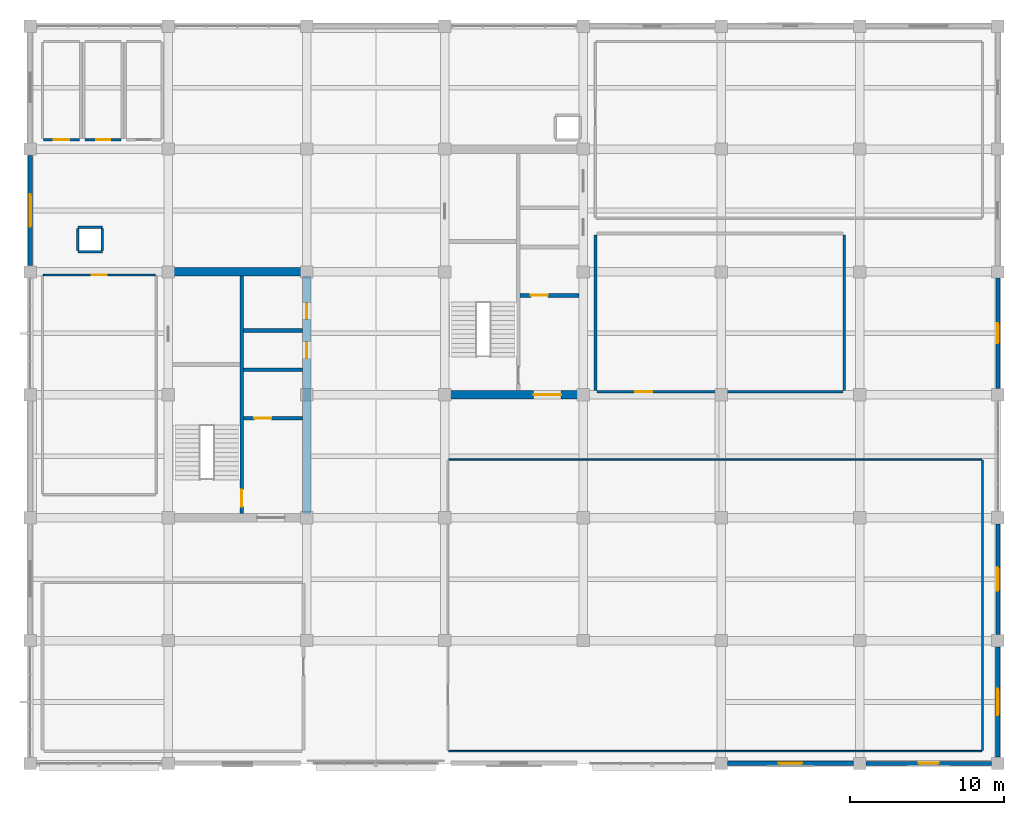
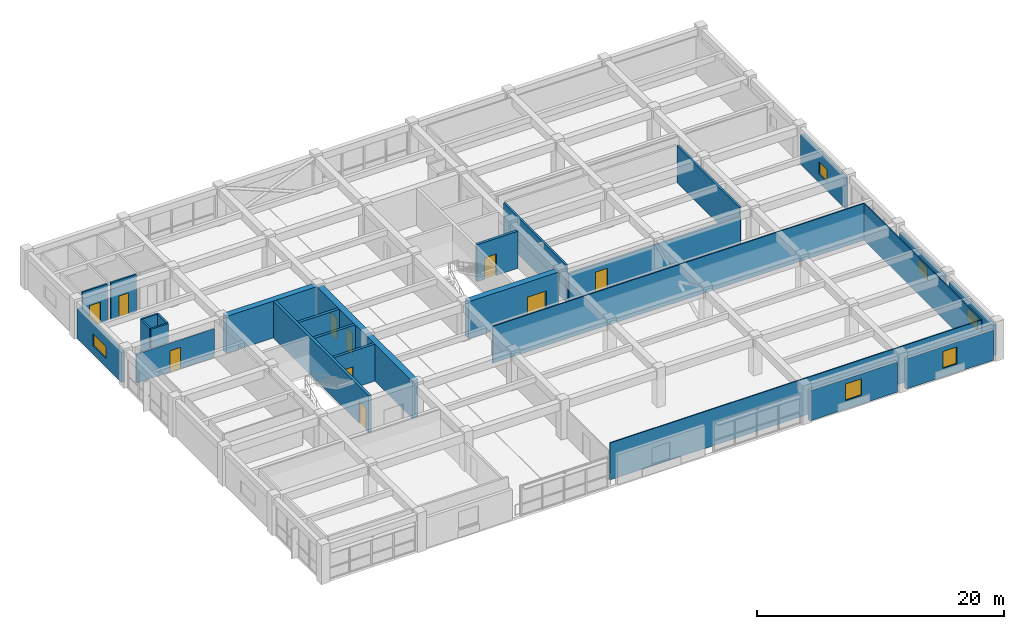
# One storey, part 13 of 16: 27 walls, 10 doors, 6 windows, 16 openings.
"""IFC4 building model written with IfcOpenShell, lengths in metres."""

from ifc_helpers import new_model, si_unit, direction, frame, frame_2d, origin, place, context, subcontext, project, spatial, rectangle, extrude, material, layer, layer_set, type_object, element, fill, save


model = new_model("IFC4")

# Units and contexts
model_context = context("Model", 3, precision=1e-05, world=origin(), true_north=direction((0.0, 1.0)))
body_context = subcontext(model_context, "Body", "Model", "MODEL_VIEW")
ifc_project = project(units=[si_unit("LENGTHUNIT", "METRE"), si_unit("AREAUNIT", "SQUARE_METRE"), si_unit("VOLUMEUNIT", "CUBIC_METRE"), si_unit("PLANEANGLEUNIT", "RADIAN"), si_unit("MASSUNIT", "GRAM", prefix="KILO")], contexts=[model_context])

# Site, building, storey
site_placement = place(None, origin())
site = spatial("IfcSite", under=ifc_project, at=site_placement, CompositionType="ELEMENT")
building_placement = place(site_placement, origin())
building = spatial("IfcBuilding", under=site, at=building_placement, Name="Zaverband Oceanarium and Marine Research Institute", CompositionType="ELEMENT")
storey_placement = place(building_placement, frame((0.0, 0.0, 37.5)))
storey = spatial("IfcBuildingStorey", under=building, at=storey_placement, Name="L09", CompositionType="ELEMENT", Elevation=37.5)

# Wall
ifc_material_1 = material(Name="Concrete C50/60", Category="concrete")
ifc_layer_1 = layer(ifc_material_1, 0.550048828125, Name="Concrete C50/60")
ifc_layer_set_1 = layer_set([ifc_layer_1], Name="Concrete C50/60")
wall_type_1 = type_object("IfcWallType", Name="CW-01", PredefinedType="SHEAR", material=ifc_layer_set_1)
wall_1_placement = place(storey_placement, frame((18.27490234375, 96.0, 0.0), z_axis=(0.0, 0.0, 1.0), x_axis=(1.0, 0.0, 0.0)))
element("IfcWall", 1, at=wall_1_placement, inside=storey, type_object=wall_type_1, Name="Structural shear wall CW-01", PredefinedType="SHEAR", context=body_context, shape_type="SweptSolid", body=[
    extrude(rectangle(XDim=8.4501953125, YDim=0.550048828125, at=frame_2d((4.22509765625, 0.0))), origin(), (0.0, 0.0, 1.0), 3.64990234375),
])

# Wall, openings, doors
wall_2_placement = place(storey_placement, frame((27.0, 80.27490234375, 0.0), z_axis=(0.0, 0.0, 1.0), x_axis=(0.0, 1.0, 0.0)))
wall_2 = element("IfcWall", 2, at=wall_2_placement, inside=storey, type_object=wall_type_1, Name="Structural shear wall CW-01", PredefinedType="SHEAR", context=body_context, shape_type="SweptSolid", body=[
    extrude(rectangle(XDim=15.4501953125, YDim=0.550048828125, at=frame_2d((7.72509765625, 0.0))), origin(), (0.0, 0.0, 1.0), 3.64990234375),
])
opening_1_placement = place(wall_2_placement, frame((10.10009765625, 0.0, 0.0)))
opening_1 = element("IfcOpeningElement", 3, at=opening_1_placement, cuts=wall_2, Name="Opening LD-02", PredefinedType="OPENING", context=body_context, shape_type="SweptSolid", body=[
    extrude(rectangle(XDim=1.050048828125, YDim=2.1201171875, at=frame_2d((0.52490234375, 1.06005859375))), frame((0.0, 0.287109375, 0.0), z_axis=(0.0, -1.0, 0.0), x_axis=(1.0, 0.0, 0.0)), (0.0, 0.0, 1.0), 0.573974609375),
])
opening_2_placement = place(wall_2_placement, frame((12.64990234375, 0.0, 0.0)))
opening_2 = element("IfcOpeningElement", 4, at=opening_2_placement, cuts=wall_2, Name="Opening LD-02", PredefinedType="OPENING", context=body_context, shape_type="SweptSolid", body=[
    extrude(rectangle(XDim=1.050048828125, YDim=2.1201171875, at=frame_2d((0.52490234375, 1.06005859375))), frame((0.0, 0.287109375, 0.0), z_axis=(0.0, -1.0, 0.0), x_axis=(1.0, 0.0, 0.0)), (0.0, 0.0, 1.0), 0.573974609375),
])
ifc_material_2 = material(Name="Steel S355", Category="steel")
door_type_1 = type_object("IfcDoorType", Name="LD-02", OperationType="DOUBLE_DOOR_SLIDING", PredefinedType="DOOR", material=ifc_material_2)
door_1_placement = place(opening_1_placement, origin())
door_1 = element("IfcDoor", 5, at=door_1_placement, inside=storey, type_object=door_type_1, Name="Passenger lift sliding landing door LD-02", OperationType="DOUBLE_DOOR_SLIDING", OverallHeight=2.1201171875, OverallWidth=1.050048828125, PredefinedType="DOOR", context=body_context, shape_type="SweptSolid", body=[
    extrude(rectangle(XDim=1.050048828125, YDim=2.1201171875, at=frame_2d((0.52490234375, 1.06005859375))), frame((0.0, 0.02490234375, 0.0), z_axis=(0.0, -1.0, 0.0), x_axis=(1.0, 0.0, 0.0)), (0.0, 0.0, 1.0), 0.050048828125),
])
fill(opening_1, door_1)
door_2_placement = place(opening_2_placement, origin())
door_2 = element("IfcDoor", 6, at=door_2_placement, inside=storey, type_object=door_type_1, Name="Passenger lift sliding landing door LD-02", OperationType="DOUBLE_DOOR_SLIDING", OverallHeight=2.1201171875, OverallWidth=1.050048828125, PredefinedType="DOOR", context=body_context, shape_type="SweptSolid", body=[
    extrude(rectangle(XDim=1.050048828125, YDim=2.1201171875, at=frame_2d((0.52490234375, 1.06005859375))), frame((0.0, 0.02490234375, 0.0), z_axis=(0.0, -1.0, 0.0), x_axis=(1.0, 0.0, 0.0)), (0.0, 0.0, 1.0), 0.050048828125),
])
fill(opening_2, door_2)

# Wall, opening, door
wall_3_placement = place(storey_placement, frame((36.27490234375, 88.0, 0.0), z_axis=(0.0, 0.0, 1.0), x_axis=(1.0, 0.0, 0.0)))
wall_3 = element("IfcWall", 7, at=wall_3_placement, inside=storey, type_object=wall_type_1, Name="Structural shear wall CW-01", PredefinedType="SHEAR", context=body_context, shape_type="SweptSolid", body=[
    extrude(rectangle(XDim=8.4501953125, YDim=0.550048828125, at=frame_2d((4.22509765625, 0.0))), origin(), (0.0, 0.0, 1.0), 3.64990234375),
])
opening_3_placement = place(wall_3_placement, frame((5.5, 0.0, 0.0)))
opening_3 = element("IfcOpeningElement", 8, at=opening_3_placement, cuts=wall_3, Name="Opening FD-02", PredefinedType="OPENING", context=body_context, shape_type="SweptSolid", body=[
    extrude(rectangle(XDim=1.800048828125, YDim=2.179931640625, at=frame_2d((0.89990234375, 1.08984375))), frame((0.0, 0.287109375, 0.0), z_axis=(0.0, -1.0, 0.0), x_axis=(1.0, 0.0, 0.0)), (0.0, 0.0, 1.0), 0.573974609375),
])
door_type_2 = type_object("IfcDoorType", Name="FD-02", OperationType="DOUBLE_DOOR_SINGLE_SWING", PredefinedType="DOOR", material=ifc_material_2)
door_3_placement = place(opening_3_placement, origin())
door_3 = element("IfcDoor", 9, at=door_3_placement, inside=storey, type_object=door_type_2, Name="Protected lobby double fire door FD-02", OperationType="DOUBLE_DOOR_SINGLE_SWING", OverallHeight=2.179931640625, OverallWidth=1.800048828125, PredefinedType="DOOR", context=body_context, shape_type="SweptSolid", body=[
    extrude(rectangle(XDim=1.800048828125, YDim=2.179931640625, at=frame_2d((0.89990234375, 1.08984375))), frame((0.0, 0.02490234375, 0.0), z_axis=(0.0, -1.0, 0.0), x_axis=(1.0, 0.0, 0.0)), (0.0, 0.0, 1.0), 0.050048828125),
])
fill(opening_3, door_3)

# Wall, opening, window
ifc_material_3 = material(Name="Concrete C40/50 precast", Category="concrete")
ifc_layer_2 = layer(ifc_material_3, 0.264892578125, Name="Concrete C40/50 precast")
ifc_layer_set_2 = layer_set([ifc_layer_2], Name="Concrete C40/50 precast")
wall_type_2 = type_object("IfcWallType", Name="EW-265", PredefinedType="STANDARD", material=ifc_layer_set_2)
wall_4_placement = place(storey_placement, frame((63.405029296875, 64.0, 0.0), z_axis=(0.0, 0.0, 1.0), x_axis=(1.0, 0.0, 0.0)))
wall_4 = element("IfcWall", 10, at=wall_4_placement, inside=storey, type_object=wall_type_2, Name="Exterior infill wall EW-265", PredefinedType="STANDARD", context=body_context, shape_type="SweptSolid", body=[
    extrude(rectangle(XDim=8.18994140625, YDim=0.264892578125, at=frame_2d((4.094970703125, 0.0))), origin(), (0.0, 0.0, 1.0), 2.97998046875),
])
opening_4_placement = place(wall_4_placement, frame((3.445068359375, 0.0, 0.85009765625)))
opening_4 = element("IfcOpeningElement", 11, at=opening_4_placement, cuts=wall_4, Name="Opening WN-1300x1650", PredefinedType="OPENING", context=body_context, shape_type="SweptSolid", body=[
    extrude(rectangle(XDim=1.300048828125, YDim=1.64990234375, at=frame_2d((0.64990234375, 0.824951171875))), frame((0.0, 0.14453125, 0.0), z_axis=(0.0, -1.0, 0.0), x_axis=(1.0, 0.0, 0.0)), (0.0, 0.0, 1.0), 0.288818359375),
])
ifc_material_4 = material(Name="Thermally broken anodized aluminium and solar-control glass", Category="aluminium")
window_type_1 = type_object("IfcWindowType", Name="WN-1300x1650", PartitioningType="SINGLE_PANEL", PredefinedType="WINDOW", material=ifc_material_4)
window_1_placement = place(opening_4_placement, origin())
window_1 = element("IfcWindow", 12, at=window_1_placement, inside=storey, type_object=window_type_1, Name="Fixed / casement exterior window WN-1300x1650", OverallHeight=1.64990234375, OverallWidth=1.300048828125, PartitioningType="SINGLE_PANEL", PredefinedType="WINDOW", context=body_context, shape_type="SweptSolid", body=[
    extrude(rectangle(XDim=1.300048828125, YDim=1.64990234375, at=frame_2d((0.64990234375, 0.824951171875))), frame((0.0, 0.030029296875, 0.0), z_axis=(0.0, -1.0, 0.0), x_axis=(1.0, 0.0, 0.0)), (0.0, 0.0, 1.0), 0.06005859375),
])
fill(opening_4, window_1)

wall_5_placement = place(storey_placement, frame((72.0, 72.405029296875, 0.0), z_axis=(0.0, 0.0, 1.0), x_axis=(0.0, 1.0, 0.0)))
wall_5 = element("IfcWall", 13, at=wall_5_placement, inside=storey, type_object=wall_type_2, Name="Exterior infill wall EW-265", PredefinedType="STANDARD", context=body_context, shape_type="SweptSolid", body=[
    extrude(rectangle(XDim=7.18994140625, YDim=0.264892578125, at=frame_2d((3.594970703125, 0.0))), origin(), (0.0, 0.0, 1.0), 2.97998046875),
])
opening_5_placement = place(wall_5_placement, frame((2.844970703125, 0.0, 0.85009765625)))
opening_5 = element("IfcOpeningElement", 14, at=opening_5_placement, cuts=wall_5, Name="Opening WN-1500x1200", PredefinedType="OPENING", context=body_context, shape_type="SweptSolid", body=[
    extrude(rectangle(XDim=1.5, YDim=1.199951171875, at=frame_2d((0.75, 0.60009765625))), frame((0.0, 0.14453125, 0.0), z_axis=(0.0, -1.0, 0.0), x_axis=(1.0, 0.0, 0.0)), (0.0, 0.0, 1.0), 0.288818359375),
])
window_type_2 = type_object("IfcWindowType", Name="WN-1500x1200", PartitioningType="SINGLE_PANEL", PredefinedType="WINDOW", material=ifc_material_4)
window_2_placement = place(opening_5_placement, origin())
window_2 = element("IfcWindow", 15, at=window_2_placement, inside=storey, type_object=window_type_2, Name="Fixed / casement exterior window WN-1500x1200", OverallHeight=1.199951171875, OverallWidth=1.5, PartitioningType="SINGLE_PANEL", PredefinedType="WINDOW", context=body_context, shape_type="SweptSolid", body=[
    extrude(rectangle(XDim=1.5, YDim=1.199951171875, at=frame_2d((0.75, 0.60009765625))), frame((0.0, 0.030029296875, 0.0), z_axis=(0.0, -1.0, 0.0), x_axis=(1.0, 0.0, 0.0)), (0.0, 0.0, 1.0), 0.06005859375),
])
fill(opening_5, window_2)

wall_6_placement = place(storey_placement, frame((72.0, 88.405029296875, 0.0), z_axis=(0.0, 0.0, 1.0), x_axis=(0.0, 1.0, 0.0)))
wall_6 = element("IfcWall", 16, at=wall_6_placement, inside=storey, type_object=wall_type_2, Name="Exterior infill wall EW-265", PredefinedType="STANDARD", context=body_context, shape_type="SweptSolid", body=[
    extrude(rectangle(XDim=7.18994140625, YDim=0.264892578125, at=frame_2d((3.594970703125, 0.0))), origin(), (0.0, 0.0, 1.0), 2.97998046875),
])
opening_6_placement = place(wall_6_placement, frame((2.945068359375, 0.0, 0.85009765625)))
opening_6 = element("IfcOpeningElement", 17, at=opening_6_placement, cuts=wall_6, Name="Opening WN-1300x1200", PredefinedType="OPENING", context=body_context, shape_type="SweptSolid", body=[
    extrude(rectangle(XDim=1.300048828125, YDim=1.199951171875, at=frame_2d((0.64990234375, 0.60009765625))), frame((0.0, 0.14453125, 0.0), z_axis=(0.0, -1.0, 0.0), x_axis=(1.0, 0.0, 0.0)), (0.0, 0.0, 1.0), 0.288818359375),
])
window_type_3 = type_object("IfcWindowType", Name="WN-1300x1200", PartitioningType="SINGLE_PANEL", PredefinedType="WINDOW", material=ifc_material_4)
window_3_placement = place(opening_6_placement, origin())
window_3 = element("IfcWindow", 18, at=window_3_placement, inside=storey, type_object=window_type_3, Name="Fixed / casement exterior window WN-1300x1200", OverallHeight=1.199951171875, OverallWidth=1.300048828125, PartitioningType="SINGLE_PANEL", PredefinedType="WINDOW", context=body_context, shape_type="SweptSolid", body=[
    extrude(rectangle(XDim=1.300048828125, YDim=1.199951171875, at=frame_2d((0.64990234375, 0.60009765625))), frame((0.0, 0.030029296875, 0.0), z_axis=(0.0, -1.0, 0.0), x_axis=(1.0, 0.0, 0.0)), (0.0, 0.0, 1.0), 0.06005859375),
])
fill(opening_6, window_3)

ifc_layer_3 = layer(ifc_material_3, 0.2900390625, Name="Concrete C40/50 precast")
ifc_layer_set_3 = layer_set([ifc_layer_3], Name="Concrete C40/50 precast")
wall_type_3 = type_object("IfcWallType", Name="EW-290", PredefinedType="STANDARD", material=ifc_layer_set_3)
wall_7_placement = place(storey_placement, frame((54.405029296875, 64.0, 0.0), z_axis=(0.0, 0.0, 1.0), x_axis=(1.0, 0.0, 0.0)))
wall_7 = element("IfcWall", 19, at=wall_7_placement, inside=storey, type_object=wall_type_3, Name="Exterior infill wall EW-290", PredefinedType="STANDARD", context=body_context, shape_type="SweptSolid", body=[
    extrude(rectangle(XDim=8.18994140625, YDim=0.2900390625, at=frame_2d((4.094970703125, 0.0))), origin(), (0.0, 0.0, 1.0), 2.97998046875),
])
opening_7_placement = place(wall_7_placement, frame((3.344970703125, 0.0, 0.85009765625)))
opening_7 = element("IfcOpeningElement", 20, at=opening_7_placement, cuts=wall_7, Name="Opening WN-1500x1650", PredefinedType="OPENING", context=body_context, shape_type="SweptSolid", body=[
    extrude(rectangle(XDim=1.5, YDim=1.64990234375, at=frame_2d((0.75, 0.824951171875))), frame((0.0, 0.156982421875, 0.0), z_axis=(0.0, -1.0, 0.0), x_axis=(1.0, 0.0, 0.0)), (0.0, 0.0, 1.0), 0.31396484375),
])
window_type_4 = type_object("IfcWindowType", Name="WN-1500x1650", PartitioningType="SINGLE_PANEL", PredefinedType="WINDOW", material=ifc_material_4)
window_4_placement = place(opening_7_placement, origin())
window_4 = element("IfcWindow", 21, at=window_4_placement, inside=storey, type_object=window_type_4, Name="Fixed / casement exterior window WN-1500x1650", OverallHeight=1.64990234375, OverallWidth=1.5, PartitioningType="SINGLE_PANEL", PredefinedType="WINDOW", context=body_context, shape_type="SweptSolid", body=[
    extrude(rectangle(XDim=1.5, YDim=1.64990234375, at=frame_2d((0.75, 0.824951171875))), frame((0.0, 0.030029296875, 0.0), z_axis=(0.0, -1.0, 0.0), x_axis=(1.0, 0.0, 0.0)), (0.0, 0.0, 1.0), 0.06005859375),
])
fill(opening_7, window_4)

wall_8_placement = place(storey_placement, frame((9.0, 96.405029296875, 0.0), z_axis=(0.0, 0.0, 1.0), x_axis=(0.0, 1.0, 0.0)))
wall_8 = element("IfcWall", 22, at=wall_8_placement, inside=storey, type_object=wall_type_3, Name="Exterior infill wall EW-290", PredefinedType="STANDARD", context=body_context, shape_type="SweptSolid", body=[
    extrude(rectangle(XDim=7.18994140625, YDim=0.2900390625, at=frame_2d((3.594970703125, 0.0))), origin(), (0.0, 0.0, 1.0), 2.97998046875),
])
opening_8_placement = place(wall_8_placement, frame((2.544921875, 0.0, 0.85009765625)))
opening_8 = element("IfcOpeningElement", 23, at=opening_8_placement, cuts=wall_8, Name="Opening WN-2100x1200", PredefinedType="OPENING", context=body_context, shape_type="SweptSolid", body=[
    extrude(rectangle(XDim=2.10009765625, YDim=1.199951171875, at=frame_2d((1.050048828125, 0.60009765625))), frame((0.0, 0.156982421875, 0.0), z_axis=(0.0, -1.0, 0.0), x_axis=(1.0, 0.0, 0.0)), (0.0, 0.0, 1.0), 0.31396484375),
])
window_type_5 = type_object("IfcWindowType", Name="WN-2100x1200", PartitioningType="SINGLE_PANEL", PredefinedType="WINDOW", material=ifc_material_4)
window_5_placement = place(opening_8_placement, origin())
window_5 = element("IfcWindow", 24, at=window_5_placement, inside=storey, type_object=window_type_5, Name="Fixed / casement exterior window WN-2100x1200", OverallHeight=1.199951171875, OverallWidth=2.10009765625, PartitioningType="SINGLE_PANEL", PredefinedType="WINDOW", context=body_context, shape_type="SweptSolid", body=[
    extrude(rectangle(XDim=2.10009765625, YDim=1.199951171875, at=frame_2d((1.050048828125, 0.60009765625))), frame((0.0, 0.030029296875, 0.0), z_axis=(0.0, -1.0, 0.0), x_axis=(1.0, 0.0, 0.0)), (0.0, 0.0, 1.0), 0.06005859375),
])
fill(opening_8, window_5)

wall_9_placement = place(storey_placement, frame((72.0, 64.405029296875, 0.0), z_axis=(0.0, 0.0, 1.0), x_axis=(0.0, 1.0, 0.0)))
wall_9 = element("IfcWall", 25, at=wall_9_placement, inside=storey, type_object=wall_type_3, Name="Exterior infill wall EW-290", PredefinedType="STANDARD", context=body_context, shape_type="SweptSolid", body=[
    extrude(rectangle(XDim=7.18994140625, YDim=0.2900390625, at=frame_2d((3.594970703125, 0.0))), origin(), (0.0, 0.0, 1.0), 2.97998046875),
])
opening_9_placement = place(wall_9_placement, frame((2.7451171875, 0.0, 0.85009765625)))
opening_9 = element("IfcOpeningElement", 26, at=opening_9_placement, cuts=wall_9, Name="Opening WN-1700x1200", PredefinedType="OPENING", context=body_context, shape_type="SweptSolid", body=[
    extrude(rectangle(XDim=1.699951171875, YDim=1.199951171875, at=frame_2d((0.85009765625, 0.60009765625))), frame((0.0, 0.156982421875, 0.0), z_axis=(0.0, -1.0, 0.0), x_axis=(1.0, 0.0, 0.0)), (0.0, 0.0, 1.0), 0.31396484375),
])
window_type_6 = type_object("IfcWindowType", Name="WN-1700x1200", PartitioningType="SINGLE_PANEL", PredefinedType="WINDOW", material=ifc_material_4)
window_6_placement = place(opening_9_placement, origin())
window_6 = element("IfcWindow", 27, at=window_6_placement, inside=storey, type_object=window_type_6, Name="Fixed / casement exterior window WN-1700x1200", OverallHeight=1.199951171875, OverallWidth=1.699951171875, PartitioningType="SINGLE_PANEL", PredefinedType="WINDOW", context=body_context, shape_type="SweptSolid", body=[
    extrude(rectangle(XDim=1.699951171875, YDim=1.199951171875, at=frame_2d((0.85009765625, 0.60009765625))), frame((0.0, 0.030029296875, 0.0), z_axis=(0.0, -1.0, 0.0), x_axis=(1.0, 0.0, 0.0)), (0.0, 0.0, 1.0), 0.06005859375),
])
fill(opening_9, window_6)

# Walls
ifc_material_5 = material(Name="Framed fire-rated glass laboratory partition", Category="glass")
ifc_layer_4 = layer(ifc_material_5, 0.10009765625, Name="Framed fire-rated glass laboratory partition")
ifc_layer_set_4 = layer_set([ifc_layer_4], Name="Framed fire-rated glass laboratory partition")
wall_type_4 = type_object("IfcWallType", Name="PT-100-GL", PredefinedType="PARTITIONING", material=ifc_layer_set_4)
for number, where, z_axis, x_axis, name in (
    (28, (36.25, 64.800048828125, 0.0), (0.0, 0.0, 1.0), (1.0, 0.0, 0.0), "Internal partition PT-100-GL"),
    (29, (36.25, 83.800048828125, 0.0), (0.0, 0.0, 1.0), (1.0, 0.0, 0.0), "Internal partition PT-100-GL"),
):
    element("IfcWall", number, at=place(storey_placement, frame(where, z_axis=z_axis, x_axis=x_axis)), inside=storey, type_object=wall_type_4, Name=name, PredefinedType="PARTITIONING", context=body_context, shape_type="SweptSolid", body=[
        extrude(rectangle(XDim=34.699951171875, YDim=0.10009765625, at=frame_2d((17.35009765625, 0.0))), origin(), (0.0, 0.0, 1.0), 3.64990234375),
    ])
wall_10_placement = place(storey_placement, frame((71.0, 64.85009765625, 0.0), z_axis=(0.0, 0.0, 1.0), x_axis=(0.0, 1.0, 0.0)))
element("IfcWall", 30, at=wall_10_placement, inside=storey, type_object=wall_type_4, Name="Internal partition PT-100-GL", PredefinedType="PARTITIONING", context=body_context, shape_type="SweptSolid", body=[
    extrude(rectangle(XDim=18.89990234375, YDim=0.10009765625, at=frame_2d((9.449951171875, 0.0))), origin(), (0.0, 0.0, 1.0), 3.64990234375),
])

# Wall, opening, door
ifc_material_6 = material(Name="Insulated metal-stud office partition")
ifc_layer_5 = layer(ifc_material_6, 0.1201171875, Name="Insulated metal-stud office partition")
ifc_layer_set_5 = layer_set([ifc_layer_5], Name="Insulated metal-stud office partition")
wall_type_5 = type_object("IfcWallType", Name="PT-120-OF", PredefinedType="PARTITIONING", material=ifc_layer_set_5)
wall_11_placement = place(storey_placement, frame((9.860107421875, 95.800048828125, 0.0), z_axis=(0.0, 0.0, 1.0), x_axis=(1.0, 0.0, 0.0)))
wall_11 = element("IfcWall", 31, at=wall_11_placement, inside=storey, type_object=wall_type_5, Name="Internal partition PT-120-OF", PredefinedType="PARTITIONING", context=body_context, shape_type="SweptSolid", body=[
    extrude(rectangle(XDim=7.27978515625, YDim=0.1201171875, at=frame_2d((3.639892578125, 0.0))), origin(), (0.0, 0.0, 1.0), 2.85009765625),
])
opening_10_placement = place(wall_11_placement, frame((3.14501953125, 0.0, 0.0)))
opening_10 = element("IfcOpeningElement", 32, at=opening_10_placement, cuts=wall_11, Name="Opening ID-990x2100", PredefinedType="OPENING", context=body_context, shape_type="SweptSolid", body=[
    extrude(rectangle(XDim=0.989990234375, YDim=2.10009765625, at=frame_2d((0.4951171875, 1.050048828125))), frame((0.0, 0.072021484375, 0.0), z_axis=(0.0, -1.0, 0.0), x_axis=(1.0, 0.0, 0.0)), (0.0, 0.0, 1.0), 0.14404296875),
])
ifc_material_7 = material(Name="Hardwood-veneered acoustic timber", Category="wood")
door_type_3 = type_object("IfcDoorType", Name="ID-990x2100", OperationType="NOTDEFINED", PredefinedType="DOOR", material=ifc_material_7)
door_4_placement = place(opening_10_placement, origin())
door_4 = element("IfcDoor", 33, at=door_4_placement, inside=storey, type_object=door_type_3, Name="Senior fellow office door ID-990x2100", OperationType="SINGLE_SWING_LEFT", OverallHeight=2.10009765625, OverallWidth=0.989990234375, PredefinedType="DOOR", context=body_context, shape_type="SweptSolid", body=[
    extrude(rectangle(XDim=0.989990234375, YDim=2.10009765625, at=frame_2d((0.4951171875, 1.050048828125))), frame((0.0, 0.02490234375, 0.0), z_axis=(0.0, -1.0, 0.0), x_axis=(1.0, 0.0, 0.0)), (0.0, 0.0, 1.0), 0.050048828125),
])
fill(opening_10, door_4)

ifc_material_8 = material(Name="Ceramic-tiled wet-room blockwork", Category="masonry")
ifc_layer_6 = layer(ifc_material_8, 0.14990234375, Name="Ceramic-tiled wet-room blockwork")
ifc_layer_set_6 = layer_set([ifc_layer_6], Name="Ceramic-tiled wet-room blockwork")
wall_type_6 = type_object("IfcWallType", Name="PT-150-WC", PredefinedType="PARTITIONING", material=ifc_layer_set_6)
wall_12_placement = place(storey_placement, frame((9.875, 104.60009765625, 0.0), z_axis=(0.0, 0.0, 1.0), x_axis=(1.0, 0.0, 0.0)))
wall_12 = element("IfcWall", 34, at=wall_12_placement, inside=storey, type_object=wall_type_6, Name="Internal partition PT-150-WC", PredefinedType="PARTITIONING", context=body_context, shape_type="SweptSolid", body=[
    extrude(rectangle(XDim=2.35009765625, YDim=0.14990234375, at=frame_2d((1.175048828125, 0.0))), origin(), (0.0, 0.0, 1.0), 3.64990234375),
])
opening_11_placement = place(wall_12_placement, frame((0.6650390625, 0.0, 0.0)))
opening_11 = element("IfcOpeningElement", 35, at=opening_11_placement, cuts=wall_12, Name="Opening ID-1020x2100", PredefinedType="OPENING", context=body_context, shape_type="SweptSolid", body=[
    extrude(rectangle(XDim=1.02001953125, YDim=2.10009765625, at=frame_2d((0.510009765625, 1.050048828125))), frame((0.0, 0.0869140625, 0.0), z_axis=(0.0, -1.0, 0.0), x_axis=(1.0, 0.0, 0.0)), (0.0, 0.0, 1.0), 0.173828125),
])
door_type_4 = type_object("IfcDoorType", Name="ID-1020x2100", OperationType="NOTDEFINED", PredefinedType="DOOR", material=ifc_material_7)
door_5_placement = place(opening_11_placement, frame((1.02001953125, 0.0, 0.0), z_axis=(0.0, 0.0, 1.0), x_axis=(-1.0, 0.0, 0.0)))
door_5 = element("IfcDoor", 36, at=door_5_placement, inside=storey, type_object=door_type_4, Name="Accessible WC outward-swing door ID-1020x2100", OperationType="SINGLE_SWING_LEFT", OverallHeight=2.10009765625, OverallWidth=1.02001953125, PredefinedType="DOOR", context=body_context, shape_type="SweptSolid", body=[
    extrude(rectangle(XDim=1.02001953125, YDim=2.10009765625, at=frame_2d((0.510009765625, 1.050048828125))), frame((0.0, 0.02490234375, 0.0), z_axis=(0.0, -1.0, 0.0), x_axis=(1.0, 0.0, 0.0)), (0.0, 0.0, 1.0), 0.050048828125),
])
fill(opening_11, door_5)

wall_13_placement = place(storey_placement, frame((12.574951171875, 104.60009765625, 0.0), z_axis=(0.0, 0.0, 1.0), x_axis=(1.0, 0.0, 0.0)))
wall_13 = element("IfcWall", 37, at=wall_13_placement, inside=storey, type_object=wall_type_6, Name="Internal partition PT-150-WC", PredefinedType="PARTITIONING", context=body_context, shape_type="SweptSolid", body=[
    extrude(rectangle(XDim=2.35009765625, YDim=0.14990234375, at=frame_2d((1.175048828125, 0.0))), origin(), (0.0, 0.0, 1.0), 3.64990234375),
])
opening_12_placement = place(wall_13_placement, frame((0.719970703125, 0.0, 0.0)))
opening_12 = element("IfcOpeningElement", 38, at=opening_12_placement, cuts=wall_13, Name="Opening ID-910x2080", PredefinedType="OPENING", context=body_context, shape_type="SweptSolid", body=[
    extrude(rectangle(XDim=0.909912109375, YDim=2.080078125, at=frame_2d((0.455078125, 1.0400390625))), frame((0.0, 0.0869140625, 0.0), z_axis=(0.0, -1.0, 0.0), x_axis=(1.0, 0.0, 0.0)), (0.0, 0.0, 1.0), 0.173828125),
])
door_type_5 = type_object("IfcDoorType", Name="ID-910x2080", OperationType="NOTDEFINED", PredefinedType="DOOR", material=ifc_material_7)
door_6_placement = place(opening_12_placement, origin())
door_6 = element("IfcDoor", 39, at=door_6_placement, inside=storey, type_object=door_type_5, Name="Sanitary washroom entrance door ID-910x2080", OperationType="SINGLE_SWING_RIGHT", OverallHeight=2.080078125, OverallWidth=0.909912109375, PredefinedType="DOOR", context=body_context, shape_type="SweptSolid", body=[
    extrude(rectangle(XDim=0.909912109375, YDim=2.080078125, at=frame_2d((0.455078125, 1.0400390625))), frame((0.0, 0.02490234375, 0.0), z_axis=(0.0, -1.0, 0.0), x_axis=(1.0, 0.0, 0.0)), (0.0, 0.0, 1.0), 0.050048828125),
])
fill(opening_12, door_6)

# Walls
ifc_material_9 = material(Name="Corridor rated drywall partition")
ifc_layer_7 = layer(ifc_material_9, 0.1650390625, Name="Corridor rated drywall partition")
ifc_layer_set_7 = layer_set([ifc_layer_7], Name="Corridor rated drywall partition")
wall_type_7 = type_object("IfcWallType", Name="PT-165-CR", PredefinedType="PARTITIONING", material=ifc_layer_set_7)
for number, where, z_axis, x_axis, name in (
    (40, (12.10009765625, 97.300048828125, 0.0), (0.0, 0.0, 1.0), (1.0, 0.0, 0.0), "Internal partition PT-165-CR"),
    (41, (12.10009765625, 98.89990234375, 0.0), (0.0, 0.0, 1.0), (1.0, 0.0, 0.0), "Internal partition PT-165-CR"),
):
    element("IfcWall", number, at=place(storey_placement, frame(where, z_axis=z_axis, x_axis=x_axis)), inside=storey, type_object=wall_type_7, Name=name, PredefinedType="PARTITIONING", context=body_context, shape_type="SweptSolid", body=[
        extrude(rectangle(XDim=1.599853515625, YDim=0.1650390625, at=frame_2d((0.7998046875, 0.0))), origin(), (0.0, 0.0, 1.0), 3.64990234375),
    ])
for number, where, z_axis, x_axis, name in (
    (42, (12.10009765625, 97.3798828125, 0.0), (0.0, 0.0, 1.0), (0.0, 1.0, 0.0), "Internal partition PT-165-CR"),
    (43, (13.699951171875, 97.3798828125, 0.0), (0.0, 0.0, 1.0), (0.0, 1.0, 0.0), "Internal partition PT-165-CR"),
):
    element("IfcWall", number, at=place(storey_placement, frame(where, z_axis=z_axis, x_axis=x_axis)), inside=storey, type_object=wall_type_7, Name=name, PredefinedType="PARTITIONING", context=body_context, shape_type="SweptSolid", body=[
        extrude(rectangle(XDim=1.440185546875, YDim=0.1650390625, at=frame_2d((0.72021484375, 0.0))), origin(), (0.0, 0.0, 1.0), 3.64990234375),
    ])

# Wall, opening, door
ifc_material_10 = material(Name="Moisture-resistant laboratory blockwork", Category="masonry")
ifc_layer_8 = layer(ifc_material_10, 0.179931640625, Name="Moisture-resistant laboratory blockwork")
ifc_layer_set_8 = layer_set([ifc_layer_8], Name="Moisture-resistant laboratory blockwork")
wall_type_8 = type_object("IfcWallType", Name="PT-180-LB", PredefinedType="PARTITIONING", material=ifc_layer_set_8)
wall_14_placement = place(storey_placement, frame((45.889892578125, 88.199951171875, 0.0), z_axis=(0.0, 0.0, 1.0), x_axis=(1.0, 0.0, 0.0)))
wall_14 = element("IfcWall", 44, at=wall_14_placement, inside=storey, type_object=wall_type_8, Name="Internal partition PT-180-LB", PredefinedType="PARTITIONING", context=body_context, shape_type="SweptSolid", body=[
    extrude(rectangle(XDim=16.02001953125, YDim=0.179931640625, at=frame_2d((8.010009765625, 0.0))), origin(), (0.0, 0.0, 1.0), 2.85009765625),
])
opening_13_placement = place(wall_14_placement, frame((2.5, 0.0, 0.0)))
opening_13 = element("IfcOpeningElement", 45, at=opening_13_placement, cuts=wall_14, Name="Opening ID-1100x2120", PredefinedType="OPENING", context=body_context, shape_type="SweptSolid", body=[
    extrude(rectangle(XDim=1.10009765625, YDim=2.1201171875, at=frame_2d((0.550048828125, 1.06005859375))), frame((0.0, 0.10205078125, 0.0), z_axis=(0.0, -1.0, 0.0), x_axis=(1.0, 0.0, 0.0)), (0.0, 0.0, 1.0), 0.203857421875),
])
door_type_6 = type_object("IfcDoorType", Name="ID-1100x2120", OperationType="NOTDEFINED", PredefinedType="DOOR", material=ifc_material_7)
door_7_placement = place(opening_13_placement, origin())
door_7 = element("IfcDoor", 46, at=door_7_placement, inside=storey, type_object=door_type_6, Name="Telemetry laboratory door ID-1100x2120", OperationType="SINGLE_SWING_LEFT", OverallHeight=2.1201171875, OverallWidth=1.10009765625, PredefinedType="DOOR", context=body_context, shape_type="SweptSolid", body=[
    extrude(rectangle(XDim=1.10009765625, YDim=2.1201171875, at=frame_2d((0.550048828125, 1.06005859375))), frame((0.0, 0.02490234375, 0.0), z_axis=(0.0, -1.0, 0.0), x_axis=(1.0, 0.0, 0.0)), (0.0, 0.0, 1.0), 0.050048828125),
])
fill(opening_13, door_7)

# Walls
for number, where, z_axis, x_axis, name in (
    (47, (45.800048828125, 88.2900390625, 0.0), (0.0, 0.0, 1.0), (0.0, 1.0, 0.0), "Internal partition PT-180-LB"),
    (48, (62.0, 88.2900390625, 0.0), (0.0, 0.0, 1.0), (0.0, 1.0, 0.0), "Internal partition PT-180-LB"),
):
    element("IfcWall", number, at=place(storey_placement, frame(where, z_axis=z_axis, x_axis=x_axis)), inside=storey, type_object=wall_type_8, Name=name, PredefinedType="PARTITIONING", context=body_context, shape_type="SweptSolid", body=[
        extrude(rectangle(XDim=10.119873046875, YDim=0.179931640625, at=frame_2d((5.06005859375, 0.0))), origin(), (0.0, 0.0, 1.0), 3.64990234375),
    ])

# Wall, opening, door
ifc_layer_9 = layer(ifc_material_1, 0.25, Name="Concrete C50/60")
ifc_layer_set_9 = layer_set([ifc_layer_9], Name="Concrete C50/60")
wall_type_9 = type_object("IfcWallType", Name="PW-CORE-250", PredefinedType="SOLIDWALL", material=ifc_layer_set_9)
wall_15_placement = place(storey_placement, frame((22.77490234375, 80.27490234375, 0.0), z_axis=(0.0, 0.0, 1.0), x_axis=(0.0, 1.0, 0.0)))
wall_15 = element("IfcWall", 49, at=wall_15_placement, inside=storey, type_object=wall_type_9, Name="Structural concrete wall PW-CORE-250", PredefinedType="SOLIDWALL", context=body_context, shape_type="SweptSolid", body=[
    extrude(rectangle(XDim=15.4501953125, YDim=0.25, at=frame_2d((7.72509765625, 0.0))), origin(), (0.0, 0.0, 1.0), 3.64990234375),
])
opening_14_placement = place(wall_15_placement, frame((0.449951171875, 0.0, 0.0)))
opening_14 = element("IfcOpeningElement", 50, at=opening_14_placement, cuts=wall_15, Name="Opening FD-01", PredefinedType="OPENING", context=body_context, shape_type="SweptSolid", body=[
    extrude(rectangle(XDim=1.10009765625, YDim=2.14990234375, at=frame_2d((0.550048828125, 1.074951171875))), frame((0.0, 0.136962890625, 0.0), z_axis=(0.0, -1.0, 0.0), x_axis=(1.0, 0.0, 0.0)), (0.0, 0.0, 1.0), 0.27392578125),
])
door_type_7 = type_object("IfcDoorType", Name="FD-01", OperationType="NOTDEFINED", PredefinedType="DOOR", material=ifc_material_2)
door_8_placement = place(opening_14_placement, origin())
door_8 = element("IfcDoor", 51, at=door_8_placement, inside=storey, type_object=door_type_7, Name="Core stair / lobby fire door FD-01", OperationType="SINGLE_SWING_RIGHT", OverallHeight=2.14990234375, OverallWidth=1.10009765625, PredefinedType="DOOR", context=body_context, shape_type="SweptSolid", body=[
    extrude(rectangle(XDim=1.10009765625, YDim=2.14990234375, at=frame_2d((0.550048828125, 1.074951171875))), frame((0.0, 0.02490234375, 0.0), z_axis=(0.0, -1.0, 0.0), x_axis=(1.0, 0.0, 0.0)), (0.0, 0.0, 1.0), 0.050048828125),
])
fill(opening_14, door_8)

wall_16_placement = place(storey_placement, frame((22.905029296875, 86.47509765625, 0.0), z_axis=(0.0, 0.0, 1.0), x_axis=(1.0, 0.0, 0.0)))
wall_16 = element("IfcWall", 52, at=wall_16_placement, inside=storey, type_object=wall_type_9, Name="Structural concrete wall PW-CORE-250", PredefinedType="SOLIDWALL", context=body_context, shape_type="SweptSolid", body=[
    extrude(rectangle(XDim=3.820068359375, YDim=0.25, at=frame_2d((1.91015625, 0.0))), origin(), (0.0, 0.0, 1.0), 3.64990234375),
])
opening_15_placement = place(wall_16_placement, frame((0.695068359375, 0.0, 0.0)))
opening_15 = element("IfcOpeningElement", 53, at=opening_15_placement, cuts=wall_16, Name="Opening LD-01", PredefinedType="OPENING", context=body_context, shape_type="SweptSolid", body=[
    extrude(rectangle(XDim=1.10009765625, YDim=2.1201171875, at=frame_2d((0.550048828125, 1.06005859375))), frame((0.0, 0.136962890625, 0.0), z_axis=(0.0, -1.0, 0.0), x_axis=(1.0, 0.0, 0.0)), (0.0, 0.0, 1.0), 0.27392578125),
])
door_type_8 = type_object("IfcDoorType", Name="LD-01", OperationType="DOUBLE_DOOR_SLIDING", PredefinedType="DOOR", material=ifc_material_2)
door_9_placement = place(opening_15_placement, origin())
door_9 = element("IfcDoor", 54, at=door_9_placement, inside=storey, type_object=door_type_8, Name="Firefighting lift sliding landing door LD-01", OperationType="DOUBLE_DOOR_SLIDING", OverallHeight=2.1201171875, OverallWidth=1.10009765625, PredefinedType="DOOR", context=body_context, shape_type="SweptSolid", body=[
    extrude(rectangle(XDim=1.10009765625, YDim=2.1201171875, at=frame_2d((0.550048828125, 1.06005859375))), frame((0.0, 0.02490234375, 0.0), z_axis=(0.0, -1.0, 0.0), x_axis=(1.0, 0.0, 0.0)), (0.0, 0.0, 1.0), 0.050048828125),
])
fill(opening_15, door_9)

# Walls
for number, where, z_axis, x_axis, name in (
    (55, (22.905029296875, 89.6298828125, 0.0), (0.0, 0.0, 1.0), (1.0, 0.0, 0.0), "Structural concrete wall PW-CORE-250"),
    (56, (22.905029296875, 92.179931640625, 0.0), (0.0, 0.0, 1.0), (1.0, 0.0, 0.0), "Structural concrete wall PW-CORE-250"),
):
    element("IfcWall", number, at=place(storey_placement, frame(where, z_axis=z_axis, x_axis=x_axis)), inside=storey, type_object=wall_type_9, Name=name, PredefinedType="SOLIDWALL", context=body_context, shape_type="SweptSolid", body=[
        extrude(rectangle(XDim=3.820068359375, YDim=0.25, at=frame_2d((1.91015625, 0.0))), origin(), (0.0, 0.0, 1.0), 3.64990234375),
    ])

# Wall, opening, door
wall_17_placement = place(storey_placement, frame((40.905029296875, 94.47509765625, 0.0), z_axis=(0.0, 0.0, 1.0), x_axis=(1.0, 0.0, 0.0)))
wall_17 = element("IfcWall", 57, at=wall_17_placement, inside=storey, type_object=wall_type_9, Name="Structural concrete wall PW-CORE-250", PredefinedType="SOLIDWALL", context=body_context, shape_type="SweptSolid", body=[
    extrude(rectangle(XDim=3.820068359375, YDim=0.25, at=frame_2d((1.91015625, 0.0))), origin(), (0.0, 0.0, 1.0), 3.64990234375),
])
opening_16_placement = place(wall_17_placement, frame((0.695068359375, 0.0, 0.0)))
opening_16 = element("IfcOpeningElement", 58, at=opening_16_placement, cuts=wall_17, Name="Opening LD-01", PredefinedType="OPENING", context=body_context, shape_type="SweptSolid", body=[
    extrude(rectangle(XDim=1.10009765625, YDim=2.1201171875, at=frame_2d((0.550048828125, 1.06005859375))), frame((0.0, 0.136962890625, 0.0), z_axis=(0.0, -1.0, 0.0), x_axis=(1.0, 0.0, 0.0)), (0.0, 0.0, 1.0), 0.27392578125),
])
door_10_placement = place(opening_16_placement, origin())
door_10 = element("IfcDoor", 59, at=door_10_placement, inside=storey, type_object=door_type_8, Name="Firefighting lift sliding landing door LD-01", OperationType="DOUBLE_DOOR_SLIDING", OverallHeight=2.1201171875, OverallWidth=1.10009765625, PredefinedType="DOOR", context=body_context, shape_type="SweptSolid", body=[
    extrude(rectangle(XDim=1.10009765625, YDim=2.1201171875, at=frame_2d((0.550048828125, 1.06005859375))), frame((0.0, 0.02490234375, 0.0), z_axis=(0.0, -1.0, 0.0), x_axis=(1.0, 0.0, 0.0)), (0.0, 0.0, 1.0), 0.050048828125),
])
fill(opening_16, door_10)

save(model, "model.ifc")
